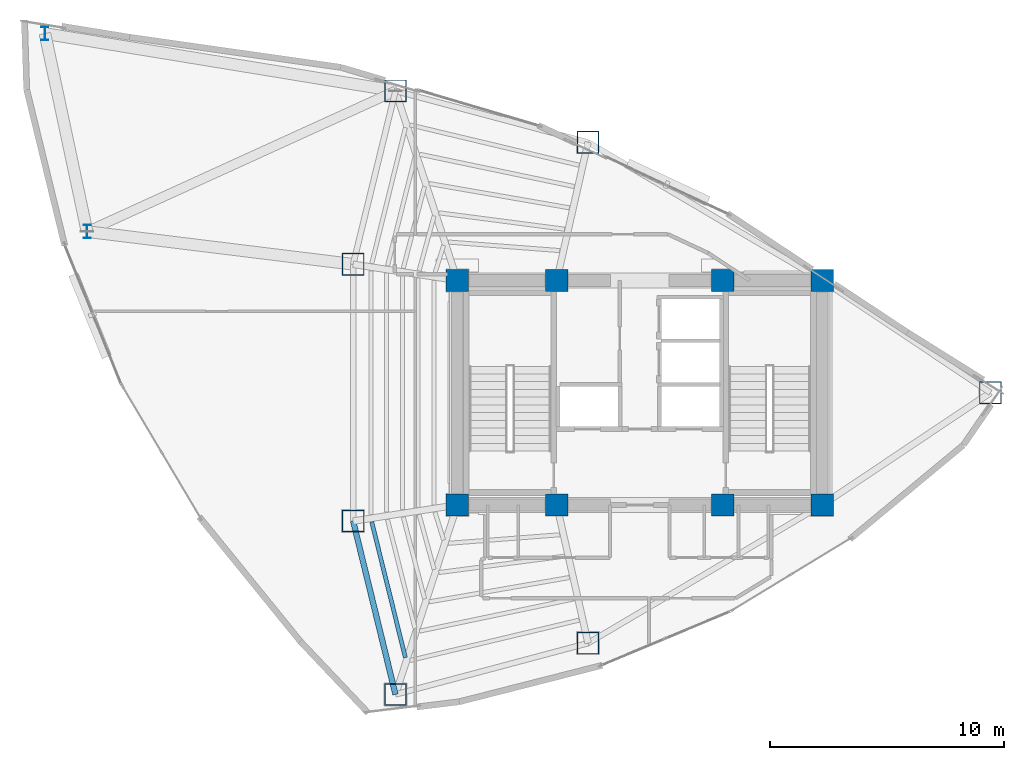
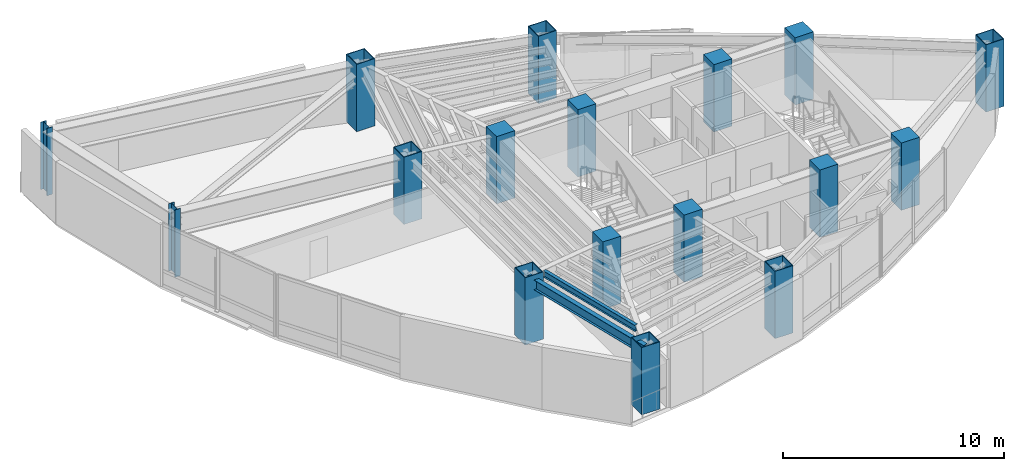
# One storey, part 1 of 16: 17 columns, 2 beams.
"""IFC4 building model written with IfcOpenShell, lengths in metres."""

import ifcopenshell
import ifcopenshell.guid

model = None  # the IFC model being written
_history = None  # IfcOwnerHistory: only IFC2X3 demands one
_inside = {}  # id of a spatial element -> (the spatial element, [elements in it])
_under = {}  # id of a project, library or spatial element -> (it, [spatial elements below it])
_declared = {}  # id of a project -> (the project, [libraries it declares])
_typed = {}  # id of a type object -> (the type object, [elements of that type])
_made_of = {}  # id of a material, layer set ... -> (it, [elements and type objects made of it])


def new_model(schema):
    """Start an empty IFC model of exactly this schema.

    Asked for "IFC4X3", IfcOpenShell would pick the latest addendum, in which some entities
    have other attributes; the version numbers below select the first issue.
    IFC2X3 requires an IfcOwnerHistory on every rooted entity: one is made here for all.
    """
    global model, _history
    if schema == "IFC4X3":
        model = ifcopenshell.file(schema_version=(4, 3, 0, 0))
    else:
        model = ifcopenshell.file(schema=schema)
    _inside.clear()
    _under.clear()
    _declared.clear()
    _typed.clear()
    _made_of.clear()
    _history = None
    if model.schema == "IFC2X3":
        org = make("IfcOrganization", Name="unknown")
        user = make(
            "IfcPersonAndOrganization",
            ThePerson=make("IfcPerson", FamilyName="unknown"),
            TheOrganization=org,
        )
        app = make(
            "IfcApplication",
            ApplicationDeveloper=org,
            Version="unknown",
            ApplicationFullName="unknown",
            ApplicationIdentifier="unknown",
        )
        _history = make(
            "IfcOwnerHistory",
            OwningUser=user,
            OwningApplication=app,
            ChangeAction="ADDED",
            CreationDate=0,
        )
    return model


def make(cls, **values):
    """One entity of the class cls with the attributes given. An attribute that is None is left unset."""
    return model.create_entity(
        cls, **{name: value for name, value in values.items() if value is not None}
    )


def rooted(cls, **values):
    """An entity with a GlobalId (a new one), such as an element, a storey or a relation."""
    return make(cls, GlobalId=ifcopenshell.guid.new(), OwnerHistory=_history, **values)


def si_unit(unit_type, name, prefix=None):
    """IfcSIUnit, for example si_unit("LENGTHUNIT", "METRE", prefix="MILLI")."""
    return make("IfcSIUnit", UnitType=unit_type, Prefix=prefix, Name=name)


def assignment(units):
    """IfcUnitAssignment: the units of a project."""
    return None if units is None else make("IfcUnitAssignment", Units=units)


def point(xyz):
    """IfcCartesianPoint."""
    return None if xyz is None else make("IfcCartesianPoint", Coordinates=xyz)


def direction(xyz):
    """IfcDirection."""
    return None if xyz is None else make("IfcDirection", DirectionRatios=xyz)


def frame(location, z_axis=None, x_axis=None):
    """IfcAxis2Placement3D, a coordinate frame: its origin and axes. An axis left out is left unset."""
    return make(
        "IfcAxis2Placement3D",
        Location=point(location),
        Axis=direction(z_axis),
        RefDirection=direction(x_axis),
    )


def frame_2d(location, x_axis=None):
    """IfcAxis2Placement2D, a coordinate frame in the plane: its origin and x axis."""
    return make(
        "IfcAxis2Placement2D", Location=point(location), RefDirection=direction(x_axis)
    )


def origin():
    """The frame at (0, 0, 0) with its axes left unset."""
    return frame((0.0, 0.0, 0.0))


def origin_2d():
    """The frame at (0, 0) in the plane with its x axis left unset."""
    return frame_2d((0.0, 0.0))


def place(relative_to, where):
    """IfcLocalPlacement: puts the frame where relative to a parent placement (None: the world)."""
    return make(
        "IfcLocalPlacement", PlacementRelTo=relative_to, RelativePlacement=where
    )


def context(
    kind, dimensions, precision=None, world=None, true_north=None, identifier=None
):
    """IfcGeometricRepresentationContext, for example the 3D "Model" context."""
    return make(
        "IfcGeometricRepresentationContext",
        ContextIdentifier=identifier,
        ContextType=kind,
        CoordinateSpaceDimension=dimensions,
        Precision=precision,
        WorldCoordinateSystem=world,
        TrueNorth=true_north,
    )


def subcontext(parent, identifier, kind, view, scale=None):
    """IfcGeometricRepresentationSubContext, for example "Body" below "Model"."""
    return make(
        "IfcGeometricRepresentationSubContext",
        ContextIdentifier=identifier,
        ContextType=kind,
        ParentContext=parent,
        TargetScale=scale,
        TargetView=view,
    )


def project(units=None, contexts=None):
    """IfcProject with its units and contexts."""
    return rooted(
        "IfcProject",
        Name="project",
        RepresentationContexts=contexts,
        UnitsInContext=assignment(units),
    )


def spatial(cls, under=None, at=None, **own):
    """A site, building, storey or space (cls), placed at a placement, below another one or the project."""
    s = rooted(cls, ObjectPlacement=at, **own)
    if under is not None:
        _under.setdefault(under.id(), (under, []))[1].append(s)
    return s


def profile(cls, at=None, kind="AREA", **sizes):
    """A parametric profile (cls). Its sizes go by their IFC names, for example OverallWidth=200.0."""
    return make(cls, ProfileType=kind, Position=at, **sizes)


def rectangle(**sizes):
    """IfcRectangleProfileDef."""
    return profile("IfcRectangleProfileDef", **sizes)


def hollow_rectangle(**sizes):
    """IfcRectangleHollowProfileDef."""
    return profile("IfcRectangleHollowProfileDef", **sizes)


def i_section(**sizes):
    """IfcIShapeProfileDef."""
    return profile("IfcIShapeProfileDef", **sizes)


def extrude(swept, where, along, depth):
    """IfcExtrudedAreaSolid: the profile swept, set in the frame where, extruded along a direction by depth."""
    return make(
        "IfcExtrudedAreaSolid",
        SweptArea=swept,
        Position=where,
        ExtrudedDirection=direction(along),
        Depth=depth,
    )


def shape(context_of_items, identifier, shape_type, items):
    """IfcShapeRepresentation: the items that make up one representation, for example the "Body"."""
    return make(
        "IfcShapeRepresentation",
        ContextOfItems=context_of_items,
        RepresentationIdentifier=identifier,
        RepresentationType=shape_type,
        Items=items,
    )


def material(Name=None, Category=None):
    """IfcMaterial."""
    return make("IfcMaterial", Name=Name, Category=Category)


def material_profile(
    of_material, cross_section, Name=None, Category=None, Priority=None
):
    """IfcMaterialProfile: a cross section and its material."""
    return make(
        "IfcMaterialProfile",
        Name=Name,
        Material=of_material,
        Profile=cross_section,
        Priority=Priority,
        Category=Category,
    )


def profile_set(profiles, Name=None, composite=None):
    """IfcMaterialProfileSet."""
    return make(
        "IfcMaterialProfileSet",
        Name=Name,
        MaterialProfiles=profiles,
        CompositeProfile=composite,
    )


def made_of(thing, what):
    """Note that an element or type object is made of a material, layer set ...; save() writes the relation."""
    if what is not None:
        _made_of.setdefault(what.id(), (what, []))[1].append(thing)
    return thing


def type_object(cls, material=None, **own):
    """A type object (cls), such as IfcWallType, which elements share."""
    return made_of(rooted(cls, **own), material)


def element(
    cls,
    number,
    at=None,
    inside=None,
    cuts=None,
    type_object=None,
    material=None,
    context=None,
    identifier="Body",
    shape_type=None,
    held_by="IfcProductDefinitionShape",
    body=None,
    shapes=None,
    **own,
):
    """One element of the class cls, such as IfcWall. Its Tag is "e" and its number.

    at: its placement. inside: the storey or other place that contains it. cuts: it is an
    opening in that element (IfcRelVoidsElement). A single representation is given by context,
    identifier, shape_type and body (its items); several are given by shapes. held_by: the class
    of the entity that holds the representations. save() writes the other relations.
    """
    e = rooted(cls, Tag="e%d" % number, ObjectPlacement=at, **own)
    if body is not None:
        shapes = [shape(context, identifier, shape_type, body)]
    if shapes is not None:
        e.Representation = make(held_by, Representations=shapes)
    if inside is not None:
        _inside.setdefault(inside.id(), (inside, []))[1].append(e)
    if cuts is not None:
        rooted(
            "IfcRelVoidsElement", RelatingBuildingElement=cuts, RelatedOpeningElement=e
        )
    if type_object is not None:
        _typed.setdefault(type_object.id(), (type_object, []))[1].append(e)
    return made_of(e, material)


def aggregate(whole, parts):
    """IfcRelAggregates: a whole, such as a stair, and the parts it consists of."""
    return rooted("IfcRelAggregates", RelatingObject=whole, RelatedObjects=parts)


def save(model, path):
    """Write the relations noted so far, then the file.

    IfcRelAggregates (storeys below a building ...), IfcRelContainedInSpatialStructure (elements
    in a storey), IfcRelDefinesByType, IfcRelAssociatesMaterial and IfcRelDeclares: one each for
    every whole, place, type object, material and project.
    """
    for whole, parts in _under.values():
        aggregate(whole, parts)
    for where, things in _inside.values():
        rooted(
            "IfcRelContainedInSpatialStructure",
            RelatedElements=things,
            RelatingStructure=where,
        )
    for kind, things in _typed.values():
        rooted("IfcRelDefinesByType", RelatedObjects=things, RelatingType=kind)
    for what, things in _made_of.values():
        rooted("IfcRelAssociatesMaterial", RelatedObjects=things, RelatingMaterial=what)
    for by, libraries in _declared.values():
        rooted("IfcRelDeclares", RelatingContext=by, RelatedDefinitions=libraries)
    model.write(path)


model = new_model("IFC4")

# Units and contexts
model_context = context("Model", 3, precision=1e-05, world=origin(), true_north=direction((0.0, 1.0)))
body_context = subcontext(model_context, "Body", "Model", "MODEL_VIEW")
ifc_project = project(units=[si_unit("LENGTHUNIT", "METRE"), si_unit("AREAUNIT", "SQUARE_METRE"), si_unit("VOLUMEUNIT", "CUBIC_METRE"), si_unit("PLANEANGLEUNIT", "RADIAN"), si_unit("MASSUNIT", "GRAM", prefix="KILO")], contexts=[model_context])

# Site, building, storey
site_placement = place(None, origin())
site = spatial("IfcSite", under=ifc_project, at=site_placement, CompositionType="ELEMENT")
building_placement = place(site_placement, origin())
building = spatial("IfcBuilding", under=site, at=building_placement, Name="Menara Vayukalpa", CompositionType="ELEMENT")
storey_placement = place(building_placement, frame((0.0, 0.0, 202.679931640625)))
storey = spatial("IfcBuildingStorey", under=building, at=storey_placement, Name="L51", CompositionType="ELEMENT", Elevation=202.679931640625)

# Columns
ifc_material_1 = material(Name="Concrete C60/75", Category="concrete")
ifc_material_profile_1 = material_profile(ifc_material_1, rectangle(XDim=0.949951171875, YDim=0.949951171875, at=origin_2d()), Name="RC 950x950")
ifc_profile_set_1 = profile_set([ifc_material_profile_1], Name="Concrete C60/75")
column_type_1 = type_object("IfcColumnType", Name="COL-CC2", PredefinedType="COLUMN", material=ifc_profile_set_1)
for number, where, z_axis, x_axis, name in (
    (1, (17.800048828125, 17.199951171875, 0.0), (0.0, 0.0, 1.0), (1.0, 0.0, 0.0), "L51 Core Pilaster Column CC1"),
    (2, (22.050048828125, 17.199951171875, 0.0), (0.0, 0.0, 1.0), (1.0, 0.0, 0.0), "L51 Core Pilaster Column CC2"),
    (3, (29.14990234375, 17.199951171875, 0.0), (0.0, 0.0, 1.0), (1.0, 0.0, 0.0), "L51 Core Pilaster Column CC3"),
    (4, (33.39990234375, 17.199951171875, 0.0), (0.0, 0.0, 1.0), (1.0, 0.0, 0.0), "L51 Core Pilaster Column CC4"),
    (5, (17.800048828125, 26.800048828125, 0.0), (0.0, 0.0, 1.0), (1.0, 0.0, 0.0), "L51 Core Pilaster Column CC5"),
    (6, (22.050048828125, 26.800048828125, 0.0), (0.0, 0.0, 1.0), (1.0, 0.0, 0.0), "L51 Core Pilaster Column CC6"),
    (7, (29.14990234375, 26.800048828125, 0.0), (0.0, 0.0, 1.0), (1.0, 0.0, 0.0), "L51 Core Pilaster Column CC7"),
    (8, (33.39990234375, 26.800048828125, 0.0), (0.0, 0.0, 1.0), (1.0, 0.0, 0.0), "L51 Core Pilaster Column CC8"),
):
    element("IfcColumn", number, at=place(storey_placement, frame(where, z_axis=z_axis, x_axis=x_axis)), inside=storey, type_object=column_type_1, Name=name, PredefinedType="COLUMN", context=body_context, shape_type="SweptSolid", body=[
        extrude(rectangle(XDim=0.949951171875, YDim=0.949951171875, at=origin_2d()), origin(), (0.0, 0.0, 1.0), 3.719970703125),
    ])
ifc_material_2 = material(Name="Steel S460", Category="steel")
ifc_material_profile_2 = material_profile(ifc_material_2, hollow_rectangle(XDim=0.949951171875, YDim=0.949951171875, WallThickness=0.0400390625, at=origin_2d()), Name="BOX 950x950x40")
ifc_profile_set_2 = profile_set([ifc_material_profile_2], Name="Steel S460")
column_type_2 = type_object("IfcColumnType", Name="COL-MC4", PredefinedType="COLUMN", material=ifc_profile_set_2)
for number, where, z_axis, x_axis, name in (
    (9, (40.590576171875, 22.0, 0.0), (0.0, 0.0, 1.0), (1.0, 0.0, 0.0), "L51 Perimeter Mega Column P01"),
    (10, (23.389404296875, 32.70849609375, 0.0), (0.0, 0.0, 1.0), (1.0, 0.0, 0.0), "L51 Perimeter Mega Column P03"),
    (11, (15.15478515625, 34.902587890625, 0.0), (0.0, 0.0, 1.0), (1.0, 0.0, 0.0), "L51 Perimeter Mega Column P04"),
    (12, (13.343994140625, 27.4892578125, 0.0), (0.0, 0.0, 1.0), (1.0, 0.0, 0.0), "L51 Perimeter Mega Column P05"),
    (13, (13.343994140625, 16.5107421875, 0.0), (0.0, 0.0, 1.0), (1.0, 0.0, 0.0), "L51 Perimeter Mega Column P06"),
    (14, (15.15478515625, 9.097412109375, 0.0), (0.0, 0.0, 1.0), (1.0, 0.0, 0.0), "L51 Perimeter Mega Column P07"),
    (15, (23.389404296875, 11.29150390625, 0.0), (0.0, 0.0, 1.0), (1.0, 0.0, 0.0), "L51 Perimeter Mega Column P08"),
):
    element("IfcColumn", number, at=place(storey_placement, frame(where, z_axis=z_axis, x_axis=x_axis)), inside=storey, type_object=column_type_2, Name=name, PredefinedType="COLUMN", context=body_context, shape_type="SweptSolid", body=[
        extrude(hollow_rectangle(XDim=0.949951171875, YDim=0.949951171875, WallThickness=0.0400390625, at=origin_2d()), origin(), (0.0, 0.0, 1.0), 3.719970703125),
    ])
ifc_material_3 = material(Name="Steel S460", Category="steel")
ifc_material_profile_3 = material_profile(ifc_material_3, i_section(OverallWidth=0.300048828125, OverallDepth=0.587890625, WebThickness=0.011962890625, FlangeThickness=0.02001953125, at=origin_2d()), Name="H 588x300x12x20")
ifc_profile_set_3 = profile_set([ifc_material_profile_3], Name="Steel S460")
column_type_3 = type_object("IfcColumnType", Name="COL-SC1", PredefinedType="COLUMN", material=ifc_profile_set_3)
for number, where, z_axis, x_axis, name in (
    (16, (0.165283203125, 37.35498046875, 0.0), (0.0, 0.0, 1.0), (1.0, 0.0, 0.0), "L51 SB4 Sky Bar Vierendeel Column SB04"),
    (17, (1.96630859375, 28.889404296875, 0.0), (0.0, 0.0, 1.0), (1.0, 0.0, 0.0), "L51 SB4 Sky Bar Vierendeel Column SB05"),
):
    element("IfcColumn", number, at=place(storey_placement, frame(where, z_axis=z_axis, x_axis=x_axis)), inside=storey, type_object=column_type_3, Name=name, PredefinedType="COLUMN", context=body_context, shape_type="SweptSolid", body=[
        extrude(i_section(OverallWidth=0.300048828125, OverallDepth=0.587890625, WebThickness=0.011962890625, FlangeThickness=0.02001953125, at=origin_2d()), origin(), (0.0, 0.0, 1.0), 3.719970703125),
    ])

# Beams
ifc_material_4 = material(Name="Steel S355", Category="steel")
ifc_material_profile_4 = material_profile(ifc_material_4, i_section(OverallWidth=0.175048828125, OverallDepth=0.35009765625, WebThickness=0.007080078125, FlangeThickness=0.010986328125, at=origin_2d()), Name="WF 350x175x7x11")
ifc_profile_set_4 = profile_set([ifc_material_profile_4], Name="Steel S355")
beam_type_1 = type_object("IfcBeamType", Name="BM-SJ3", PredefinedType="JOIST", material=ifc_profile_set_4)
beam_1_placement = place(storey_placement, frame((14.14013671875, 16.47265625, 3.26513671875), z_axis=(0.240556182956, -0.970635216156, 0.0), x_axis=(0.970635216156, 0.240556182956, 0.0)))
element("IfcBeam", 18, at=beam_1_placement, inside=storey, type_object=beam_type_1, Name="L51 Secondary Floor Joist SJ06-5", PredefinedType="JOIST", context=body_context, shape_type="SweptSolid", body=[
    extrude(i_section(OverallWidth=0.175048828125, OverallDepth=0.35009765625, WebThickness=0.007080078125, FlangeThickness=0.010986328125, at=origin_2d()), origin(), (0.0, 0.0, 1.0), 5.979736328125),
])
ifc_material_5 = material(Name="Steel S355", Category="steel")
ifc_material_profile_5 = material_profile(ifc_material_5, i_section(OverallWidth=0.239990234375, OverallDepth=0.550048828125, WebThickness=0.010986328125, FlangeThickness=0.01904296875, at=origin_2d()), Name="WF 550x240x11x19")
ifc_profile_set_5 = profile_set([ifc_material_profile_5], Name="Steel S355")
beam_type_2 = type_object("IfcBeamType", Name="BM-SP2", PredefinedType="SPANDREL", material=ifc_profile_set_5)
beam_2_placement = place(storey_placement, frame((13.343994140625, 16.5107421875, 3.1650390625), z_axis=(0.237285374413, -0.971439988414, 0.0), x_axis=(0.971439988414, 0.237285374413, 0.0)))
element("IfcBeam", 19, at=beam_2_placement, inside=storey, type_object=beam_type_2, Name="L51 Perimeter Spandrel Beam SP06", PredefinedType="SPANDREL", context=body_context, shape_type="SweptSolid", body=[
    extrude(i_section(OverallWidth=0.239990234375, OverallDepth=0.550048828125, WebThickness=0.010986328125, FlangeThickness=0.01904296875, at=origin_2d()), origin(), (0.0, 0.0, 1.0), 7.63134765625),
])

save(model, "model.ifc")
